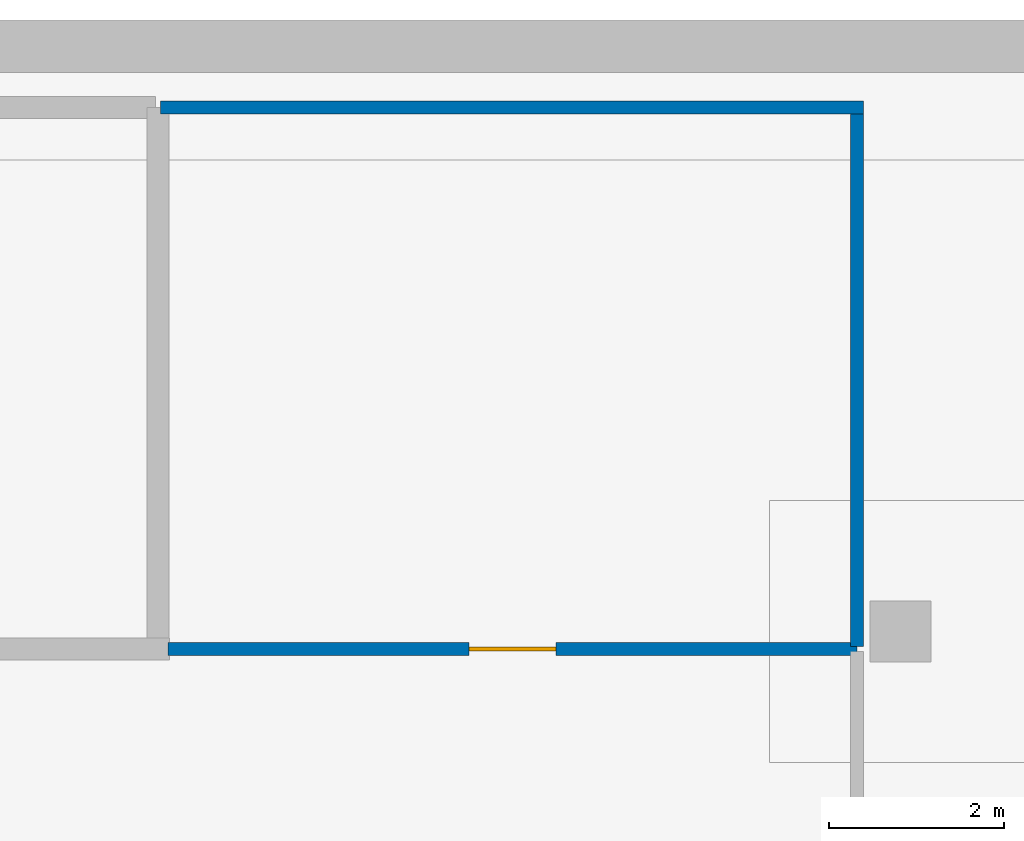
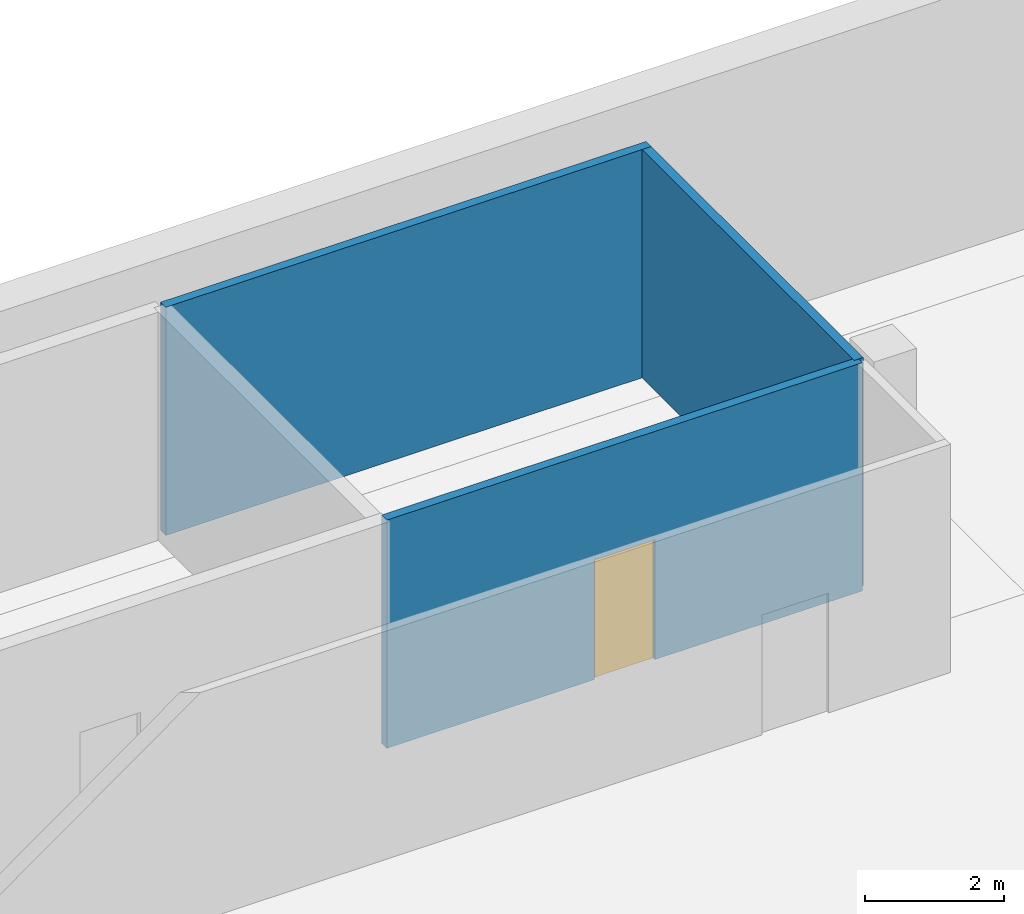
# One storey, part 13 of 19: 3 walls, 1 door, 1 opening.
"""IFC4 building model written with IfcOpenShell, lengths in metres."""

from ifc_helpers import new_model, si_unit, direction, frame, frame_2d, origin, place, context, subcontext, project, spatial, rectangle, extrude, material, layer, layer_set, type_object, element, fill, save


model = new_model("IFC4")

# Units and contexts
model_context = context("Model", 3, precision=1e-05, world=origin(), true_north=direction((0.0, 1.0)))
body_context = subcontext(model_context, "Body", "Model", "MODEL_VIEW")
ifc_project = project(units=[si_unit("LENGTHUNIT", "METRE"), si_unit("AREAUNIT", "SQUARE_METRE"), si_unit("VOLUMEUNIT", "CUBIC_METRE"), si_unit("PLANEANGLEUNIT", "RADIAN"), si_unit("MASSUNIT", "GRAM", prefix="KILO")], contexts=[model_context])

# Site, building, storey
site_placement = place(None, origin())
site = spatial("IfcSite", under=ifc_project, at=site_placement, CompositionType="ELEMENT")
building_placement = place(site_placement, origin())
building = spatial("IfcBuilding", under=site, at=building_placement, Name="Mirante Cascada Hotel Towers", CompositionType="ELEMENT")
storey_placement = place(building_placement, frame((0.0, 0.0, -9.0)))
storey = spatial("IfcBuildingStorey", under=building, at=storey_placement, Name="B2", CompositionType="ELEMENT", Elevation=-9.0)

# Wall, opening, door
ifc_material_1 = material(Name="Masonry block", Category="masonry")
ifc_layer_1 = layer(ifc_material_1, 0.15)
ifc_layer_set_1 = layer_set([ifc_layer_1], Name="Basement service corridor wall 150 block EI 60")
wall_type_1 = type_object("IfcWallType", Name="Basement service corridor wall 150 block EI 60", PredefinedType="PARTITIONING", material=ifc_layer_set_1)
wall_1_placement = place(storey_placement, frame((27.615, 30.8, 0.0), z_axis=(0.0, 0.0, 1.0), x_axis=(1.0, 0.0, 0.0)))
wall_1 = element("IfcWall", 1, at=wall_1_placement, inside=storey, type_object=wall_type_1, Name="Service corridor wall B2", PredefinedType="PARTITIONING", context=body_context, shape_type="SweptSolid", body=[
    extrude(rectangle(XDim=7.885, YDim=0.15, at=frame_2d((3.9425, 0.0))), origin(), (0.0, 0.0, 1.0), 4.0),
])
opening_placement = place(wall_1_placement, frame((3.4425, 0.0, 0.0)))
opening = element("IfcOpeningElement", 2, at=opening_placement, cuts=wall_1, Name="Opening DB-2-06", PredefinedType="OPENING", context=body_context, shape_type="SweptSolid", body=[
    extrude(rectangle(XDim=1.0, YDim=2.1, at=frame_2d((0.5, 1.05))), frame((0.0, 0.075, 0.0), z_axis=(0.0, -1.0, 0.0), x_axis=(1.0, 0.0, 0.0)), (0.0, 0.0, 1.0), 0.15),
])
ifc_material_2 = material(Name="Hollow metal fire door leaf")
door_type = type_object("IfcDoorType", Name="Basement fire door 1000x2100 FD60", OperationType="NOTDEFINED", PredefinedType="DOOR", material=ifc_material_2)
door_placement = place(opening_placement, origin())
door = element("IfcDoor", 3, at=door_placement, inside=storey, type_object=door_type, Name="Door to store DB-2-06", OperationType="SINGLE_SWING_RIGHT", OverallHeight=2.1, OverallWidth=1.0, PredefinedType="DOOR", context=body_context, shape_type="SweptSolid", body=[
    extrude(rectangle(XDim=1.0, YDim=2.1, at=frame_2d((0.5, 1.05))), frame((0.0, 0.025, 0.0), z_axis=(0.0, -1.0, 0.0), x_axis=(1.0, 0.0, 0.0)), (0.0, 0.0, 1.0), 0.05),
])
fill(opening, door)

# Walls
ifc_material_3 = material(Name="Masonry block", Category="masonry")
ifc_layer_2 = layer(ifc_material_3, 0.15)
ifc_layer_set_2 = layer_set([ifc_layer_2], Name="Basement service room wall 150 block EI 60")
wall_type_2 = type_object("IfcWallType", Name="Basement service room wall 150 block EI 60", PredefinedType="PARTITIONING", material=ifc_layer_set_2)
wall_2_placement = place(storey_placement, frame((27.53, 37.0, 0.0), z_axis=(0.0, 0.0, 1.0), x_axis=(1.0, 0.0, 0.0)))
element("IfcWall", 4, at=wall_2_placement, inside=storey, type_object=wall_type_2, Name="Service room wall B2", PredefinedType="PARTITIONING", context=body_context, shape_type="SweptSolid", body=[
    extrude(rectangle(XDim=8.045, YDim=0.15, at=frame_2d((4.0225, 0.0))), origin(), (0.0, 0.0, 1.0), 4.0),
])
wall_3_placement = place(storey_placement, frame((35.5, 30.83, 0.0), z_axis=(0.0, 0.0, 1.0), x_axis=(0.0, 1.0, 0.0)))
element("IfcWall", 5, at=wall_3_placement, inside=storey, type_object=wall_type_2, Name="Service room wall B2", PredefinedType="PARTITIONING", context=body_context, shape_type="SweptSolid", body=[
    extrude(rectangle(XDim=6.095, YDim=0.15, at=frame_2d((3.0475, 0.0))), origin(), (0.0, 0.0, 1.0), 4.0),
])

save(model, "model.ifc")
